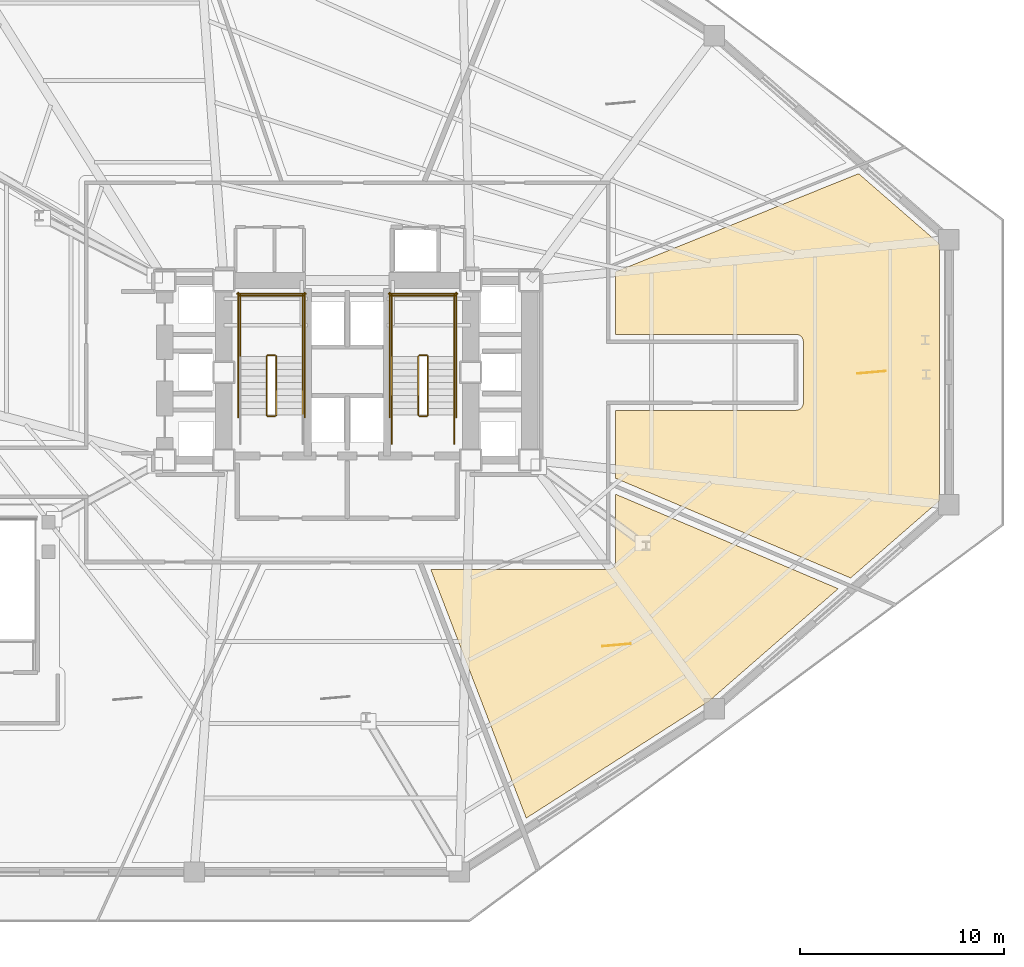
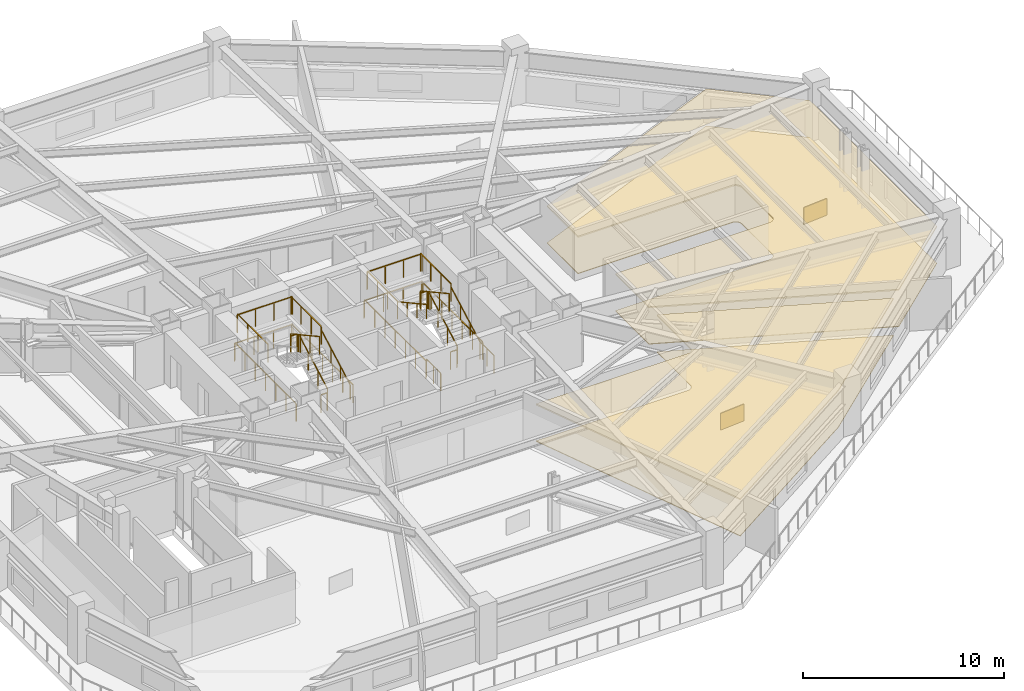
# One storey, part 9 of 10: 25 railings, 6 coverings.
"""IFC4 building model written with IfcOpenShell, lengths in metres."""

import ifcopenshell
import ifcopenshell.guid

model = None  # the IFC model being written
_history = None  # IfcOwnerHistory: only IFC2X3 demands one
_inside = {}  # id of a spatial element -> (the spatial element, [elements in it])
_under = {}  # id of a project, library or spatial element -> (it, [spatial elements below it])
_declared = {}  # id of a project -> (the project, [libraries it declares])
_typed = {}  # id of a type object -> (the type object, [elements of that type])
_made_of = {}  # id of a material, layer set ... -> (it, [elements and type objects made of it])


def new_model(schema):
    """Start an empty IFC model of exactly this schema.

    Asked for "IFC4X3", IfcOpenShell would pick the latest addendum, in which some entities
    have other attributes; the version numbers below select the first issue.
    IFC2X3 requires an IfcOwnerHistory on every rooted entity: one is made here for all.
    """
    global model, _history
    if schema == "IFC4X3":
        model = ifcopenshell.file(schema_version=(4, 3, 0, 0))
    else:
        model = ifcopenshell.file(schema=schema)
    _inside.clear()
    _under.clear()
    _declared.clear()
    _typed.clear()
    _made_of.clear()
    _history = None
    if model.schema == "IFC2X3":
        org = make("IfcOrganization", Name="unknown")
        user = make(
            "IfcPersonAndOrganization",
            ThePerson=make("IfcPerson", FamilyName="unknown"),
            TheOrganization=org,
        )
        app = make(
            "IfcApplication",
            ApplicationDeveloper=org,
            Version="unknown",
            ApplicationFullName="unknown",
            ApplicationIdentifier="unknown",
        )
        _history = make(
            "IfcOwnerHistory",
            OwningUser=user,
            OwningApplication=app,
            ChangeAction="ADDED",
            CreationDate=0,
        )
    return model


def make(cls, **values):
    """One entity of the class cls with the attributes given. An attribute that is None is left unset."""
    return model.create_entity(
        cls, **{name: value for name, value in values.items() if value is not None}
    )


def rooted(cls, **values):
    """An entity with a GlobalId (a new one), such as an element, a storey or a relation."""
    return make(cls, GlobalId=ifcopenshell.guid.new(), OwnerHistory=_history, **values)


def si_unit(unit_type, name, prefix=None):
    """IfcSIUnit, for example si_unit("LENGTHUNIT", "METRE", prefix="MILLI")."""
    return make("IfcSIUnit", UnitType=unit_type, Prefix=prefix, Name=name)


def assignment(units):
    """IfcUnitAssignment: the units of a project."""
    return None if units is None else make("IfcUnitAssignment", Units=units)


def point(xyz):
    """IfcCartesianPoint."""
    return None if xyz is None else make("IfcCartesianPoint", Coordinates=xyz)


def direction(xyz):
    """IfcDirection."""
    return None if xyz is None else make("IfcDirection", DirectionRatios=xyz)


def frame(location, z_axis=None, x_axis=None):
    """IfcAxis2Placement3D, a coordinate frame: its origin and axes. An axis left out is left unset."""
    return make(
        "IfcAxis2Placement3D",
        Location=point(location),
        Axis=direction(z_axis),
        RefDirection=direction(x_axis),
    )


def frame_2d(location, x_axis=None):
    """IfcAxis2Placement2D, a coordinate frame in the plane: its origin and x axis."""
    return make(
        "IfcAxis2Placement2D", Location=point(location), RefDirection=direction(x_axis)
    )


def origin():
    """The frame at (0, 0, 0) with its axes left unset."""
    return frame((0.0, 0.0, 0.0))


def origin_2d():
    """The frame at (0, 0) in the plane with its x axis left unset."""
    return frame_2d((0.0, 0.0))


def place(relative_to, where):
    """IfcLocalPlacement: puts the frame where relative to a parent placement (None: the world)."""
    return make(
        "IfcLocalPlacement", PlacementRelTo=relative_to, RelativePlacement=where
    )


def context(
    kind, dimensions, precision=None, world=None, true_north=None, identifier=None
):
    """IfcGeometricRepresentationContext, for example the 3D "Model" context."""
    return make(
        "IfcGeometricRepresentationContext",
        ContextIdentifier=identifier,
        ContextType=kind,
        CoordinateSpaceDimension=dimensions,
        Precision=precision,
        WorldCoordinateSystem=world,
        TrueNorth=true_north,
    )


def subcontext(parent, identifier, kind, view, scale=None):
    """IfcGeometricRepresentationSubContext, for example "Body" below "Model"."""
    return make(
        "IfcGeometricRepresentationSubContext",
        ContextIdentifier=identifier,
        ContextType=kind,
        ParentContext=parent,
        TargetScale=scale,
        TargetView=view,
    )


def project(units=None, contexts=None):
    """IfcProject with its units and contexts."""
    return rooted(
        "IfcProject",
        Name="project",
        RepresentationContexts=contexts,
        UnitsInContext=assignment(units),
    )


def spatial(cls, under=None, at=None, **own):
    """A site, building, storey or space (cls), placed at a placement, below another one or the project."""
    s = rooted(cls, ObjectPlacement=at, **own)
    if under is not None:
        _under.setdefault(under.id(), (under, []))[1].append(s)
    return s


def polyline(points):
    """IfcPolyline through the points."""
    return make("IfcPolyline", Points=[point(p) for p in points])


def profile(cls, at=None, kind="AREA", **sizes):
    """A parametric profile (cls). Its sizes go by their IFC names, for example OverallWidth=200.0."""
    return make(cls, ProfileType=kind, Position=at, **sizes)


def rectangle(**sizes):
    """IfcRectangleProfileDef."""
    return profile("IfcRectangleProfileDef", **sizes)


def outline(outer, holes=None, kind="AREA"):
    """IfcArbitraryClosedProfileDef: a profile drawn as a closed curve; with holes, ...WithVoids."""
    if holes is None:
        return make("IfcArbitraryClosedProfileDef", ProfileType=kind, OuterCurve=outer)
    return make(
        "IfcArbitraryProfileDefWithVoids",
        ProfileType=kind,
        OuterCurve=outer,
        InnerCurves=holes,
    )


def extrude(swept, where, along, depth):
    """IfcExtrudedAreaSolid: the profile swept, set in the frame where, extruded along a direction by depth."""
    return make(
        "IfcExtrudedAreaSolid",
        SweptArea=swept,
        Position=where,
        ExtrudedDirection=direction(along),
        Depth=depth,
    )


def shape(context_of_items, identifier, shape_type, items):
    """IfcShapeRepresentation: the items that make up one representation, for example the "Body"."""
    return make(
        "IfcShapeRepresentation",
        ContextOfItems=context_of_items,
        RepresentationIdentifier=identifier,
        RepresentationType=shape_type,
        Items=items,
    )


def material(Name=None, Category=None):
    """IfcMaterial."""
    return make("IfcMaterial", Name=Name, Category=Category)


def layer(
    of_material, thickness, ventilated=None, Name=None, Category=None, Priority=None
):
    """IfcMaterialLayer: one layer of a wall or slab, of a material (None: an air gap)."""
    return make(
        "IfcMaterialLayer",
        Material=of_material,
        LayerThickness=thickness,
        IsVentilated=ventilated,
        Name=Name,
        Category=Category,
        Priority=Priority,
    )


def layer_set(layers, Name=None):
    """IfcMaterialLayerSet."""
    return make("IfcMaterialLayerSet", MaterialLayers=layers, LayerSetName=Name)


def made_of(thing, what):
    """Note that an element or type object is made of a material, layer set ...; save() writes the relation."""
    if what is not None:
        _made_of.setdefault(what.id(), (what, []))[1].append(thing)
    return thing


def type_object(cls, material=None, **own):
    """A type object (cls), such as IfcWallType, which elements share."""
    return made_of(rooted(cls, **own), material)


def element(
    cls,
    number,
    at=None,
    inside=None,
    cuts=None,
    type_object=None,
    material=None,
    context=None,
    identifier="Body",
    shape_type=None,
    held_by="IfcProductDefinitionShape",
    body=None,
    shapes=None,
    **own,
):
    """One element of the class cls, such as IfcWall. Its Tag is "e" and its number.

    at: its placement. inside: the storey or other place that contains it. cuts: it is an
    opening in that element (IfcRelVoidsElement). A single representation is given by context,
    identifier, shape_type and body (its items); several are given by shapes. held_by: the class
    of the entity that holds the representations. save() writes the other relations.
    """
    e = rooted(cls, Tag="e%d" % number, ObjectPlacement=at, **own)
    if body is not None:
        shapes = [shape(context, identifier, shape_type, body)]
    if shapes is not None:
        e.Representation = make(held_by, Representations=shapes)
    if inside is not None:
        _inside.setdefault(inside.id(), (inside, []))[1].append(e)
    if cuts is not None:
        rooted(
            "IfcRelVoidsElement", RelatingBuildingElement=cuts, RelatedOpeningElement=e
        )
    if type_object is not None:
        _typed.setdefault(type_object.id(), (type_object, []))[1].append(e)
    return made_of(e, material)


def aggregate(whole, parts):
    """IfcRelAggregates: a whole, such as a stair, and the parts it consists of."""
    return rooted("IfcRelAggregates", RelatingObject=whole, RelatedObjects=parts)


def save(model, path):
    """Write the relations noted so far, then the file.

    IfcRelAggregates (storeys below a building ...), IfcRelContainedInSpatialStructure (elements
    in a storey), IfcRelDefinesByType, IfcRelAssociatesMaterial and IfcRelDeclares: one each for
    every whole, place, type object, material and project.
    """
    for whole, parts in _under.values():
        aggregate(whole, parts)
    for where, things in _inside.values():
        rooted(
            "IfcRelContainedInSpatialStructure",
            RelatedElements=things,
            RelatingStructure=where,
        )
    for kind, things in _typed.values():
        rooted("IfcRelDefinesByType", RelatedObjects=things, RelatingType=kind)
    for what, things in _made_of.values():
        rooted("IfcRelAssociatesMaterial", RelatedObjects=things, RelatingMaterial=what)
    for by, libraries in _declared.values():
        rooted("IfcRelDeclares", RelatingContext=by, RelatedDefinitions=libraries)
    model.write(path)


model = new_model("IFC4")

# Units and contexts
model_context = context("Model", 3, precision=1e-05, world=origin(), true_north=direction((0.0, 1.0)))
body_context = subcontext(model_context, "Body", "Model", "MODEL_VIEW")
ifc_project = project(units=[si_unit("LENGTHUNIT", "METRE"), si_unit("AREAUNIT", "SQUARE_METRE"), si_unit("VOLUMEUNIT", "CUBIC_METRE"), si_unit("PLANEANGLEUNIT", "RADIAN"), si_unit("MASSUNIT", "GRAM", prefix="KILO")], contexts=[model_context])

# Site, building, storey
site_placement = place(None, origin())
site = spatial("IfcSite", under=ifc_project, at=site_placement, CompositionType="ELEMENT")
building_placement = place(site_placement, origin())
building = spatial("IfcBuilding", under=site, at=building_placement, Name="Rocaltana Carrier Exchange", CompositionType="ELEMENT")
storey_placement = place(building_placement, frame((0.0, 0.0, 15.360107421875)))
storey = spatial("IfcBuildingStorey", under=building, at=storey_placement, Name="L05", CompositionType="ELEMENT", Elevation=15.360107421875)

# Coverings
ifc_material_1 = material(Name="Honed Bogota Sandstone Tile", Category="masonry")
ifc_layer_1 = layer(ifc_material_1, 0.0400390625)
ifc_layer_set_1 = layer_set([ifc_layer_1], Name="Honed Bogota Sandstone Tile")
covering_type_1 = type_object("IfcCoveringType", Name="Honed Stone Lobby Flooring 40", PredefinedType="FLOORING", material=ifc_layer_set_1)
covering_1_placement = place(storey_placement, origin())
element("IfcCovering", 1, at=covering_1_placement, inside=storey, type_object=covering_type_1, Name="L05 Client Reception Foyer Finish Floor", PredefinedType="FLOORING", context=body_context, shape_type="SweptSolid", body=[
    extrude(outline(polyline([(17.7236328125, -16.130615234375), (8.77587890625, -21.857421875), (4.09375, -9.659912109375), (12.800048828125, -9.659912109375), (12.813720703125, -9.65966796875), (12.821533203125, -9.6591796875), (12.848876953125, -9.656494140625), (12.856689453125, -9.655517578125), (12.883544921875, -9.650146484375), (12.891357421875, -9.648193359375), (12.91748046875, -9.64013671875), (12.9248046875, -9.637451171875), (12.9501953125, -9.626953125), (12.95751953125, -9.623779296875), (12.981689453125, -9.610595703125), (12.98828125, -9.606689453125), (13.01123046875, -9.59130859375), (13.017578125, -9.586669921875), (13.038818359375, -9.5693359375), (13.044677734375, -9.56396484375), (13.06396484375, -9.544677734375), (13.0693359375, -9.538818359375), (13.086669921875, -9.517578125), (13.09130859375, -9.51123046875), (13.106689453125, -9.48828125), (13.110595703125, -9.481689453125), (13.123779296875, -9.45751953125), (13.126953125, -9.4501953125), (13.137451171875, -9.4248046875), (13.14013671875, -9.41748046875), (13.148193359375, -9.391357421875), (13.150146484375, -9.383544921875), (13.155517578125, -9.356689453125), (13.156494140625, -9.348876953125), (13.1591796875, -9.321533203125), (13.15966796875, -9.313720703125), (13.159912109375, -9.300048828125), (13.159912109375, -5.977294921875), (24.072998046875, -10.609619140625), (17.7236328125, -16.130615234375)])), origin(), (0.0, 0.0, 1.0), 0.039794921875),
])
covering_2_placement = place(storey_placement, origin())
element("IfcCovering", 2, at=covering_2_placement, inside=storey, type_object=covering_type_1, Name="L05 Cloud Architecture Office Finish Floor", PredefinedType="FLOORING", context=body_context, shape_type="SweptSolid", body=[
    extrude(outline(polyline([(29.0400390625, 6.290283203125), (29.0400390625, -6.290283203125), (24.677490234375, -10.083984375), (13.159912109375, -5.195068359375), (13.159912109375, -1.860107421875), (22.0, -1.860107421875), (22.013671875, -1.859619140625), (22.021484375, -1.859375), (22.048828125, -1.856689453125), (22.056640625, -1.85546875), (22.08349609375, -1.85009765625), (22.09130859375, -1.84814453125), (22.11767578125, -1.840087890625), (22.125, -1.83740234375), (22.150390625, -1.826904296875), (22.157470703125, -1.82373046875), (22.181640625, -1.810791015625), (22.1884765625, -1.806640625), (22.211181640625, -1.79150390625), (22.217529296875, -1.78662109375), (22.23876953125, -1.769287109375), (22.24462890625, -1.763916015625), (22.263916015625, -1.74462890625), (22.269287109375, -1.73876953125), (22.28662109375, -1.717529296875), (22.29150390625, -1.711181640625), (22.306640625, -1.6884765625), (22.310791015625, -1.681640625), (22.32373046875, -1.657470703125), (22.326904296875, -1.650390625), (22.33740234375, -1.625), (22.340087890625, -1.61767578125), (22.34814453125, -1.59130859375), (22.35009765625, -1.58349609375), (22.35546875, -1.556640625), (22.356689453125, -1.548828125), (22.359375, -1.521484375), (22.359619140625, -1.513671875), (22.360107421875, -1.5), (22.360107421875, 1.5), (22.359619140625, 1.513671875), (22.359375, 1.521484375), (22.356689453125, 1.548828125), (22.35546875, 1.556640625), (22.35009765625, 1.58349609375), (22.34814453125, 1.59130859375), (22.340087890625, 1.61767578125), (22.33740234375, 1.625), (22.326904296875, 1.650390625), (22.32373046875, 1.657470703125), (22.310791015625, 1.681640625), (22.306640625, 1.6884765625), (22.29150390625, 1.711181640625), (22.28662109375, 1.717529296875), (22.269287109375, 1.73876953125), (22.263916015625, 1.74462890625), (22.24462890625, 1.763916015625), (22.23876953125, 1.769287109375), (22.217529296875, 1.78662109375), (22.211181640625, 1.79150390625), (22.1884765625, 1.806640625), (22.181640625, 1.810791015625), (22.157470703125, 1.82373046875), (22.150390625, 1.826904296875), (22.125, 1.83740234375), (22.11767578125, 1.840087890625), (22.09130859375, 1.84814453125), (22.08349609375, 1.85009765625), (22.056640625, 1.85546875), (22.048828125, 1.856689453125), (22.021484375, 1.859375), (22.013671875, 1.859619140625), (22.0, 1.860107421875), (13.159912109375, 1.860107421875), (13.159912109375, 4.9287109375), (25.071533203125, 9.7412109375), (29.0400390625, 6.290283203125)])), origin(), (0.0, 0.0, 1.0), 0.039794921875),
])
ifc_material_2 = material(Name="Anodised Aluminium 6063-T6", Category="aluminium")
ifc_layer_2 = layer(ifc_material_2, 0.0849609375)
ifc_layer_set_2 = layer_set([ifc_layer_2], Name="Anodised Aluminium 6063-T6")
covering_type_2 = type_object("IfcCoveringType", Name="Linear Baffle Acoustic Ceiling 85", PredefinedType="CEILING", material=ifc_layer_set_2)
covering_3_placement = place(storey_placement, frame((0.0, 0.0, 2.202880859375)))
element("IfcCovering", 3, at=covering_3_placement, inside=storey, type_object=covering_type_2, Name="L05 Client Reception Foyer Acoustic Ceiling", PredefinedType="CEILING", context=body_context, shape_type="SweptSolid", body=[
    extrude(outline(polyline([(17.7236328125, -16.130615234375), (8.77587890625, -21.857421875), (4.09375, -9.659912109375), (12.800048828125, -9.659912109375), (12.813720703125, -9.65966796875), (12.821533203125, -9.6591796875), (12.848876953125, -9.656494140625), (12.856689453125, -9.655517578125), (12.883544921875, -9.650146484375), (12.891357421875, -9.648193359375), (12.91748046875, -9.64013671875), (12.9248046875, -9.637451171875), (12.9501953125, -9.626953125), (12.95751953125, -9.623779296875), (12.981689453125, -9.610595703125), (12.98828125, -9.606689453125), (13.01123046875, -9.59130859375), (13.017578125, -9.586669921875), (13.038818359375, -9.5693359375), (13.044677734375, -9.56396484375), (13.06396484375, -9.544677734375), (13.0693359375, -9.538818359375), (13.086669921875, -9.517578125), (13.09130859375, -9.51123046875), (13.106689453125, -9.48828125), (13.110595703125, -9.481689453125), (13.123779296875, -9.45751953125), (13.126953125, -9.4501953125), (13.137451171875, -9.4248046875), (13.14013671875, -9.41748046875), (13.148193359375, -9.391357421875), (13.150146484375, -9.383544921875), (13.155517578125, -9.356689453125), (13.156494140625, -9.348876953125), (13.1591796875, -9.321533203125), (13.15966796875, -9.313720703125), (13.159912109375, -9.300048828125), (13.159912109375, -5.977294921875), (24.072998046875, -10.609619140625), (17.7236328125, -16.130615234375)])), origin(), (0.0, 0.0, 1.0), 0.0849609375),
])
covering_4_placement = place(storey_placement, frame((0.0, 0.0, 2.202880859375)))
element("IfcCovering", 4, at=covering_4_placement, inside=storey, type_object=covering_type_2, Name="L05 Cloud Architecture Office Acoustic Ceiling", PredefinedType="CEILING", context=body_context, shape_type="SweptSolid", body=[
    extrude(outline(polyline([(29.0400390625, 6.290283203125), (29.0400390625, -6.290283203125), (24.677490234375, -10.083984375), (13.159912109375, -5.195068359375), (13.159912109375, -1.860107421875), (22.0, -1.860107421875), (22.013671875, -1.859619140625), (22.021484375, -1.859375), (22.048828125, -1.856689453125), (22.056640625, -1.85546875), (22.08349609375, -1.85009765625), (22.09130859375, -1.84814453125), (22.11767578125, -1.840087890625), (22.125, -1.83740234375), (22.150390625, -1.826904296875), (22.157470703125, -1.82373046875), (22.181640625, -1.810791015625), (22.1884765625, -1.806640625), (22.211181640625, -1.79150390625), (22.217529296875, -1.78662109375), (22.23876953125, -1.769287109375), (22.24462890625, -1.763916015625), (22.263916015625, -1.74462890625), (22.269287109375, -1.73876953125), (22.28662109375, -1.717529296875), (22.29150390625, -1.711181640625), (22.306640625, -1.6884765625), (22.310791015625, -1.681640625), (22.32373046875, -1.657470703125), (22.326904296875, -1.650390625), (22.33740234375, -1.625), (22.340087890625, -1.61767578125), (22.34814453125, -1.59130859375), (22.35009765625, -1.58349609375), (22.35546875, -1.556640625), (22.356689453125, -1.548828125), (22.359375, -1.521484375), (22.359619140625, -1.513671875), (22.360107421875, -1.5), (22.360107421875, 1.5), (22.359619140625, 1.513671875), (22.359375, 1.521484375), (22.356689453125, 1.548828125), (22.35546875, 1.556640625), (22.35009765625, 1.58349609375), (22.34814453125, 1.59130859375), (22.340087890625, 1.61767578125), (22.33740234375, 1.625), (22.326904296875, 1.650390625), (22.32373046875, 1.657470703125), (22.310791015625, 1.681640625), (22.306640625, 1.6884765625), (22.29150390625, 1.711181640625), (22.28662109375, 1.717529296875), (22.269287109375, 1.73876953125), (22.263916015625, 1.74462890625), (22.24462890625, 1.763916015625), (22.23876953125, 1.769287109375), (22.217529296875, 1.78662109375), (22.211181640625, 1.79150390625), (22.1884765625, 1.806640625), (22.181640625, 1.810791015625), (22.157470703125, 1.82373046875), (22.150390625, 1.826904296875), (22.125, 1.83740234375), (22.11767578125, 1.840087890625), (22.09130859375, 1.84814453125), (22.08349609375, 1.85009765625), (22.056640625, 1.85546875), (22.048828125, 1.856689453125), (22.021484375, 1.859375), (22.013671875, 1.859619140625), (22.0, 1.860107421875), (13.159912109375, 1.860107421875), (13.159912109375, 4.9287109375), (25.071533203125, 9.7412109375), (29.0400390625, 6.290283203125)])), origin(), (0.0, 0.0, 1.0), 0.0849609375),
])

# Railings
ifc_material_3 = material(Name="Brushed Architectural Stainless Tube", Category="steel")
ifc_layer_3 = layer(ifc_material_3, 0.048095703125)
ifc_layer_set_3 = layer_set([ifc_layer_3], Name="Brushed Architectural Stainless Tube")
railing_type_1 = type_object("IfcRailingType", Name="Stair Wall Handrail 920", PredefinedType="HANDRAIL", material=ifc_layer_set_3)
for number, where, name in (
    (5, (-2.18994140625, -2.10009765625, 0.17578125), "L05 ST-1 stair handrail 1"),
    (6, (5.25, -2.10009765625, 0.17578125), "L05 ST-2 stair handrail 1"),
):
    element("IfcRailing", number, at=place(storey_placement, frame(where)), inside=storey, type_object=railing_type_1, Name=name, PredefinedType="HANDRAIL", context=body_context, shape_type="SweptSolid", body=[
        extrude(rectangle(XDim=0.048095703125, YDim=0.048095703125, at=origin_2d()), frame((0.0, 0.0, 0.8759765625), z_axis=(0.0, 0.876195522092, 0.481955814432), x_axis=(-1.0, 0.0, 0.0)), (0.0, 0.0, 1.0), 3.287109375),
        extrude(rectangle(XDim=0.0419921875, YDim=0.0419921875, at=origin_2d()), origin(), (0.0, 0.0, 1.0), 0.851806640625),
        extrude(rectangle(XDim=0.0419921875, YDim=0.0419921875, at=origin_2d()), frame((0.0, 0.9599609375, 0.528076171875)), (0.0, 0.0, 1.0), 0.851806640625),
        extrude(rectangle(XDim=0.0419921875, YDim=0.0419921875, at=origin_2d()), frame((0.0, 1.920166015625, 1.05615234375)), (0.0, 0.0, 1.0), 0.851806640625),
        extrude(rectangle(XDim=0.0419921875, YDim=0.0419921875, at=origin_2d()), frame((0.0, 2.880126953125, 1.584228515625)), (0.0, 0.0, 1.0), 0.851806640625),
    ])
railing_1_placement = place(storey_placement, frame((2.18994140625, 0.780029296875, 1.935791015625)))
element("IfcRailing", 7, at=railing_1_placement, inside=storey, type_object=railing_type_1, Name="L05 ST-2 stair handrail 2", PredefinedType="HANDRAIL", context=body_context, shape_type="SweptSolid", body=[
    extrude(rectangle(XDim=0.048095703125, YDim=0.048095703125, at=origin_2d()), frame((0.0, 0.0, 0.8759765625), z_axis=(0.0, -0.876226885812, 0.481898790807), x_axis=(1.0, 0.0, 0.0)), (0.0, 0.0, 1.0), 3.286865234375),
    extrude(rectangle(XDim=0.0419921875, YDim=0.0419921875, at=origin_2d()), origin(), (0.0, 0.0, 1.0), 0.851806640625),
    extrude(rectangle(XDim=0.0419921875, YDim=0.0419921875, at=origin_2d()), frame((0.0, -0.9599609375, 0.528076171875)), (0.0, 0.0, 1.0), 0.851806640625),
    extrude(rectangle(XDim=0.0419921875, YDim=0.0419921875, at=origin_2d()), frame((0.0, -1.920166015625, 1.055908203125)), (0.0, 0.0, 1.0), 0.851806640625),
    extrude(rectangle(XDim=0.0419921875, YDim=0.0419921875, at=origin_2d()), frame((0.0, -2.880126953125, 1.583984375)), (0.0, 0.0, 1.0), 0.851806640625),
])
ifc_material_4 = material(Name="Powder-Coated Aluminium 6063-T6", Category="aluminium")
ifc_layer_4 = layer(ifc_material_4, 0.048095703125)
ifc_layer_set_4 = layer_set([ifc_layer_4], Name="Powder-Coated Aluminium 6063-T6")
railing_type_2 = type_object("IfcRailingType", Name="Stair Well Guardrail 1100", PredefinedType="GUARDRAIL", material=ifc_layer_set_4)
railing_2_placement = place(storey_placement, frame((-3.489990234375, -2.10009765625, 0.17578125)))
element("IfcRailing", 8, at=railing_2_placement, inside=storey, type_object=railing_type_2, Name="L05 ST-1 stair guard 1", PredefinedType="GUARDRAIL", context=body_context, shape_type="SweptSolid", body=[
    extrude(rectangle(XDim=0.048095703125, YDim=0.048095703125, at=origin_2d()), frame((0.0, 0.0, 1.076171875), z_axis=(0.0, 0.876195522092, 0.481955814432), x_axis=(-1.0, 0.0, 0.0)), (0.0, 0.0, 1.0), 3.287109375),
    extrude(rectangle(XDim=0.0419921875, YDim=0.0419921875, at=origin_2d()), origin(), (0.0, 0.0, 1.0), 1.052001953125),
    extrude(rectangle(XDim=0.0419921875, YDim=0.0419921875, at=origin_2d()), frame((0.0, 0.9599609375, 0.528076171875)), (0.0, 0.0, 1.0), 1.052001953125),
    extrude(rectangle(XDim=0.0419921875, YDim=0.0419921875, at=origin_2d()), frame((0.0, 1.920166015625, 1.05615234375)), (0.0, 0.0, 1.0), 1.052001953125),
    extrude(rectangle(XDim=0.0419921875, YDim=0.0419921875, at=origin_2d()), frame((0.0, 2.880126953125, 1.584228515625)), (0.0, 0.0, 1.0), 1.052001953125),
])
railing_3_placement = place(storey_placement, frame((-3.5400390625, 0.830078125, 1.760009765625)))
element("IfcRailing", 9, at=railing_3_placement, inside=storey, type_object=railing_type_2, Name="L05 ST-1 stair guard 2", PredefinedType="GUARDRAIL", context=body_context, shape_type="SweptSolid", body=[
    extrude(rectangle(XDim=0.048095703125, YDim=0.048095703125, at=origin_2d()), frame((0.0, 0.0, 1.076171875), z_axis=(-1.0, 0.0, 0.0), x_axis=(0.0, -1.0, 0.0)), (0.0, 0.0, 1.0), 0.35986328125),
    extrude(rectangle(XDim=0.0419921875, YDim=0.0419921875, at=origin_2d()), origin(), (0.0, 0.0, 1.0), 1.052001953125),
    extrude(rectangle(XDim=0.0419921875, YDim=0.0419921875, at=origin_2d()), frame((-0.35986328125, 0.0, 0.0)), (0.0, 0.0, 1.0), 1.052001953125),
])
for number, where, name in (
    (10, (-2.18994140625, 0.780029296875, 1.760009765625), "L05 ST-1 stair guard 3"),
    (11, (-5.25, 0.780029296875, 1.760009765625), "L05 ST-1 stair guard 4"),
):
    element("IfcRailing", number, at=place(storey_placement, frame(where)), inside=storey, type_object=railing_type_2, Name=name, PredefinedType="GUARDRAIL", context=body_context, shape_type="SweptSolid", body=[
        extrude(rectangle(XDim=0.048095703125, YDim=0.048095703125, at=origin_2d()), frame((0.0, 0.0, 1.076171875), z_axis=(0.0, 1.0, 0.0), x_axis=(-1.0, 0.0, 0.0)), (0.0, 0.0, 1.0), 3.02001953125),
        extrude(rectangle(XDim=0.0419921875, YDim=0.0419921875, at=origin_2d()), origin(), (0.0, 0.0, 1.0), 1.052001953125),
        extrude(rectangle(XDim=0.0419921875, YDim=0.0419921875, at=origin_2d()), frame((0.0, 1.006591796875, 0.0)), (0.0, 0.0, 1.0), 1.052001953125),
        extrude(rectangle(XDim=0.0419921875, YDim=0.0419921875, at=origin_2d()), frame((0.0, 2.013427734375, 0.0)), (0.0, 0.0, 1.0), 1.052001953125),
        extrude(rectangle(XDim=0.0419921875, YDim=0.0419921875, at=origin_2d()), frame((0.0, 3.02001953125, 0.0)), (0.0, 0.0, 1.0), 1.052001953125),
    ])
railing_4_placement = place(storey_placement, frame((-2.139892578125, 3.75, 1.760009765625)))
element("IfcRailing", 12, at=railing_4_placement, inside=storey, type_object=railing_type_2, Name="L05 ST-1 stair guard 5", PredefinedType="GUARDRAIL", context=body_context, shape_type="SweptSolid", body=[
    extrude(rectangle(XDim=0.048095703125, YDim=0.048095703125, at=origin_2d()), frame((0.0, 0.0, 1.076171875), z_axis=(-1.0, 0.0, 0.0), x_axis=(0.0, -1.0, 0.0)), (0.0, 0.0, 1.0), 3.16015625),
    extrude(rectangle(XDim=0.0419921875, YDim=0.0419921875, at=origin_2d()), origin(), (0.0, 0.0, 1.0), 1.052001953125),
    extrude(rectangle(XDim=0.0419921875, YDim=0.0419921875, at=origin_2d()), frame((-1.053466796875, 0.0, 0.0)), (0.0, 0.0, 1.0), 1.052001953125),
    extrude(rectangle(XDim=0.0419921875, YDim=0.0419921875, at=origin_2d()), frame((-2.106689453125, 0.0, 0.0)), (0.0, 0.0, 1.0), 1.052001953125),
    extrude(rectangle(XDim=0.0419921875, YDim=0.0419921875, at=origin_2d()), frame((-3.16015625, 0.0, 0.0)), (0.0, 0.0, 1.0), 1.052001953125),
])
railing_5_placement = place(storey_placement, frame((-3.949951171875, 0.780029296875, 1.935791015625)))
element("IfcRailing", 13, at=railing_5_placement, inside=storey, type_object=railing_type_2, Name="L05 ST-1 stair guard 6", PredefinedType="GUARDRAIL", context=body_context, shape_type="SweptSolid", body=[
    extrude(rectangle(XDim=0.048095703125, YDim=0.048095703125, at=origin_2d()), frame((0.0, 0.0, 1.076171875), z_axis=(0.0, -0.876226885812, 0.481898790807), x_axis=(1.0, 0.0, 0.0)), (0.0, 0.0, 1.0), 3.286865234375),
    extrude(rectangle(XDim=0.0419921875, YDim=0.0419921875, at=origin_2d()), origin(), (0.0, 0.0, 1.0), 1.052001953125),
    extrude(rectangle(XDim=0.0419921875, YDim=0.0419921875, at=origin_2d()), frame((0.0, -0.9599609375, 0.528076171875)), (0.0, 0.0, 1.0), 1.052001953125),
    extrude(rectangle(XDim=0.0419921875, YDim=0.0419921875, at=origin_2d()), frame((0.0, -1.920166015625, 1.055908203125)), (0.0, 0.0, 1.0), 1.052001953125),
    extrude(rectangle(XDim=0.0419921875, YDim=0.0419921875, at=origin_2d()), frame((0.0, -2.880126953125, 1.583984375)), (0.0, 0.0, 1.0), 1.052001953125),
])
railing_6_placement = place(storey_placement, frame((-3.5400390625, -2.14990234375, 0.0)))
element("IfcRailing", 14, at=railing_6_placement, inside=storey, type_object=railing_type_2, Name="L05 ST-1 stair guard 7", PredefinedType="GUARDRAIL", context=body_context, shape_type="SweptSolid", body=[
    extrude(rectangle(XDim=0.048095703125, YDim=0.048095703125, at=origin_2d()), frame((0.0, 0.0, 1.076171875), z_axis=(-1.0, 0.0, 0.0), x_axis=(0.0, -1.0, 0.0)), (0.0, 0.0, 1.0), 0.35986328125),
    extrude(rectangle(XDim=0.0419921875, YDim=0.0419921875, at=origin_2d()), origin(), (0.0, 0.0, 1.0), 1.052001953125),
    extrude(rectangle(XDim=0.0419921875, YDim=0.0419921875, at=origin_2d()), frame((-0.35986328125, 0.0, 0.0)), (0.0, 0.0, 1.0), 1.052001953125),
])
for number, where, name in (
    (15, (-2.090087890625, -2.199951171875, 0.0), "L05 ST-1 stair guard 10"),
    (16, (-5.35009765625, -2.199951171875, 0.0), "L05 ST-1 stair guard 11"),
):
    element("IfcRailing", number, at=place(storey_placement, frame(where)), inside=storey, type_object=railing_type_2, Name=name, PredefinedType="GUARDRAIL", context=body_context, shape_type="SweptSolid", body=[
        extrude(rectangle(XDim=0.048095703125, YDim=0.048095703125, at=origin_2d()), frame((0.0, 0.0, 1.076171875), z_axis=(0.0, 1.0, 0.0), x_axis=(-1.0, 0.0, 0.0)), (0.0, 0.0, 1.0), 6.099853515625),
        extrude(rectangle(XDim=0.0419921875, YDim=0.0419921875, at=origin_2d()), origin(), (0.0, 0.0, 1.0), 1.052001953125),
        extrude(rectangle(XDim=0.0419921875, YDim=0.0419921875, at=origin_2d()), frame((0.0, 1.0166015625, 0.0)), (0.0, 0.0, 1.0), 1.052001953125),
        extrude(rectangle(XDim=0.0419921875, YDim=0.0419921875, at=origin_2d()), frame((0.0, 2.033203125, 0.0)), (0.0, 0.0, 1.0), 1.052001953125),
        extrude(rectangle(XDim=0.0419921875, YDim=0.0419921875, at=origin_2d()), frame((0.0, 3.0498046875, 0.0)), (0.0, 0.0, 1.0), 1.052001953125),
        extrude(rectangle(XDim=0.0419921875, YDim=0.0419921875, at=origin_2d()), frame((0.0, 4.066650390625, 0.0)), (0.0, 0.0, 1.0), 1.052001953125),
        extrude(rectangle(XDim=0.0419921875, YDim=0.0419921875, at=origin_2d()), frame((0.0, 5.083251953125, 0.0)), (0.0, 0.0, 1.0), 1.052001953125),
        extrude(rectangle(XDim=0.0419921875, YDim=0.0419921875, at=origin_2d()), frame((0.0, 6.099853515625, 0.0)), (0.0, 0.0, 1.0), 1.052001953125),
    ])
railing_7_placement = place(storey_placement, frame((-2.0400390625, 3.85009765625, 0.0)))
element("IfcRailing", 17, at=railing_7_placement, inside=storey, type_object=railing_type_2, Name="L05 ST-1 stair guard 12", PredefinedType="GUARDRAIL", context=body_context, shape_type="SweptSolid", body=[
    extrude(rectangle(XDim=0.048095703125, YDim=0.048095703125, at=origin_2d()), frame((0.0, 0.0, 1.076171875), z_axis=(-1.0, 0.0, 0.0), x_axis=(0.0, -1.0, 0.0)), (0.0, 0.0, 1.0), 3.35986328125),
    extrude(rectangle(XDim=0.0419921875, YDim=0.0419921875, at=origin_2d()), origin(), (0.0, 0.0, 1.0), 1.052001953125),
    extrude(rectangle(XDim=0.0419921875, YDim=0.0419921875, at=origin_2d()), frame((-1.119873046875, 0.0, 0.0)), (0.0, 0.0, 1.0), 1.052001953125),
    extrude(rectangle(XDim=0.0419921875, YDim=0.0419921875, at=origin_2d()), frame((-2.239990234375, 0.0, 0.0)), (0.0, 0.0, 1.0), 1.052001953125),
    extrude(rectangle(XDim=0.0419921875, YDim=0.0419921875, at=origin_2d()), frame((-3.35986328125, 0.0, 0.0)), (0.0, 0.0, 1.0), 1.052001953125),
])
railing_8_placement = place(storey_placement, frame((3.949951171875, -2.10009765625, 0.17578125)))
element("IfcRailing", 18, at=railing_8_placement, inside=storey, type_object=railing_type_2, Name="L05 ST-2 stair guard 1", PredefinedType="GUARDRAIL", context=body_context, shape_type="SweptSolid", body=[
    extrude(rectangle(XDim=0.048095703125, YDim=0.048095703125, at=origin_2d()), frame((0.0, 0.0, 1.076171875), z_axis=(0.0, 0.876195522092, 0.481955814432), x_axis=(-1.0, 0.0, 0.0)), (0.0, 0.0, 1.0), 3.287109375),
    extrude(rectangle(XDim=0.0419921875, YDim=0.0419921875, at=origin_2d()), origin(), (0.0, 0.0, 1.0), 1.052001953125),
    extrude(rectangle(XDim=0.0419921875, YDim=0.0419921875, at=origin_2d()), frame((0.0, 0.9599609375, 0.528076171875)), (0.0, 0.0, 1.0), 1.052001953125),
    extrude(rectangle(XDim=0.0419921875, YDim=0.0419921875, at=origin_2d()), frame((0.0, 1.920166015625, 1.05615234375)), (0.0, 0.0, 1.0), 1.052001953125),
    extrude(rectangle(XDim=0.0419921875, YDim=0.0419921875, at=origin_2d()), frame((0.0, 2.880126953125, 1.584228515625)), (0.0, 0.0, 1.0), 1.052001953125),
])
railing_9_placement = place(storey_placement, frame((3.89990234375, 0.830078125, 1.760009765625)))
element("IfcRailing", 19, at=railing_9_placement, inside=storey, type_object=railing_type_2, Name="L05 ST-2 stair guard 2", PredefinedType="GUARDRAIL", context=body_context, shape_type="SweptSolid", body=[
    extrude(rectangle(XDim=0.048095703125, YDim=0.048095703125, at=origin_2d()), frame((0.0, 0.0, 1.076171875), z_axis=(-1.0, 0.0, 0.0), x_axis=(0.0, -1.0, 0.0)), (0.0, 0.0, 1.0), 0.35986328125),
    extrude(rectangle(XDim=0.0419921875, YDim=0.0419921875, at=origin_2d()), origin(), (0.0, 0.0, 1.0), 1.052001953125),
    extrude(rectangle(XDim=0.0419921875, YDim=0.0419921875, at=origin_2d()), frame((-0.35986328125, 0.0, 0.0)), (0.0, 0.0, 1.0), 1.052001953125),
])
for number, where, name in (
    (20, (5.25, 0.780029296875, 1.760009765625), "L05 ST-2 stair guard 3"),
    (21, (2.18994140625, 0.780029296875, 1.760009765625), "L05 ST-2 stair guard 4"),
):
    element("IfcRailing", number, at=place(storey_placement, frame(where)), inside=storey, type_object=railing_type_2, Name=name, PredefinedType="GUARDRAIL", context=body_context, shape_type="SweptSolid", body=[
        extrude(rectangle(XDim=0.048095703125, YDim=0.048095703125, at=origin_2d()), frame((0.0, 0.0, 1.076171875), z_axis=(0.0, 1.0, 0.0), x_axis=(-1.0, 0.0, 0.0)), (0.0, 0.0, 1.0), 3.02001953125),
        extrude(rectangle(XDim=0.0419921875, YDim=0.0419921875, at=origin_2d()), origin(), (0.0, 0.0, 1.0), 1.052001953125),
        extrude(rectangle(XDim=0.0419921875, YDim=0.0419921875, at=origin_2d()), frame((0.0, 1.006591796875, 0.0)), (0.0, 0.0, 1.0), 1.052001953125),
        extrude(rectangle(XDim=0.0419921875, YDim=0.0419921875, at=origin_2d()), frame((0.0, 2.013427734375, 0.0)), (0.0, 0.0, 1.0), 1.052001953125),
        extrude(rectangle(XDim=0.0419921875, YDim=0.0419921875, at=origin_2d()), frame((0.0, 3.02001953125, 0.0)), (0.0, 0.0, 1.0), 1.052001953125),
    ])
railing_10_placement = place(storey_placement, frame((5.300048828125, 3.75, 1.760009765625)))
element("IfcRailing", 22, at=railing_10_placement, inside=storey, type_object=railing_type_2, Name="L05 ST-2 stair guard 5", PredefinedType="GUARDRAIL", context=body_context, shape_type="SweptSolid", body=[
    extrude(rectangle(XDim=0.048095703125, YDim=0.048095703125, at=origin_2d()), frame((0.0, 0.0, 1.076171875), z_axis=(-1.0, 0.0, 0.0), x_axis=(0.0, -1.0, 0.0)), (0.0, 0.0, 1.0), 3.16015625),
    extrude(rectangle(XDim=0.0419921875, YDim=0.0419921875, at=origin_2d()), origin(), (0.0, 0.0, 1.0), 1.052001953125),
    extrude(rectangle(XDim=0.0419921875, YDim=0.0419921875, at=origin_2d()), frame((-1.053466796875, 0.0, 0.0)), (0.0, 0.0, 1.0), 1.052001953125),
    extrude(rectangle(XDim=0.0419921875, YDim=0.0419921875, at=origin_2d()), frame((-2.106689453125, 0.0, 0.0)), (0.0, 0.0, 1.0), 1.052001953125),
    extrude(rectangle(XDim=0.0419921875, YDim=0.0419921875, at=origin_2d()), frame((-3.16015625, 0.0, 0.0)), (0.0, 0.0, 1.0), 1.052001953125),
])
railing_11_placement = place(storey_placement, frame((3.489990234375, 0.780029296875, 1.935791015625)))
element("IfcRailing", 23, at=railing_11_placement, inside=storey, type_object=railing_type_2, Name="L05 ST-2 stair guard 6", PredefinedType="GUARDRAIL", context=body_context, shape_type="SweptSolid", body=[
    extrude(rectangle(XDim=0.048095703125, YDim=0.048095703125, at=origin_2d()), frame((0.0, 0.0, 1.076171875), z_axis=(0.0, -0.876226885812, 0.481898790807), x_axis=(1.0, 0.0, 0.0)), (0.0, 0.0, 1.0), 3.286865234375),
    extrude(rectangle(XDim=0.0419921875, YDim=0.0419921875, at=origin_2d()), origin(), (0.0, 0.0, 1.0), 1.052001953125),
    extrude(rectangle(XDim=0.0419921875, YDim=0.0419921875, at=origin_2d()), frame((0.0, -0.9599609375, 0.528076171875)), (0.0, 0.0, 1.0), 1.052001953125),
    extrude(rectangle(XDim=0.0419921875, YDim=0.0419921875, at=origin_2d()), frame((0.0, -1.920166015625, 1.055908203125)), (0.0, 0.0, 1.0), 1.052001953125),
    extrude(rectangle(XDim=0.0419921875, YDim=0.0419921875, at=origin_2d()), frame((0.0, -2.880126953125, 1.583984375)), (0.0, 0.0, 1.0), 1.052001953125),
])
railing_12_placement = place(storey_placement, frame((3.89990234375, -2.14990234375, 0.0)))
element("IfcRailing", 24, at=railing_12_placement, inside=storey, type_object=railing_type_2, Name="L05 ST-2 stair guard 7", PredefinedType="GUARDRAIL", context=body_context, shape_type="SweptSolid", body=[
    extrude(rectangle(XDim=0.048095703125, YDim=0.048095703125, at=origin_2d()), frame((0.0, 0.0, 1.076171875), z_axis=(-1.0, 0.0, 0.0), x_axis=(0.0, -1.0, 0.0)), (0.0, 0.0, 1.0), 0.35986328125),
    extrude(rectangle(XDim=0.0419921875, YDim=0.0419921875, at=origin_2d()), origin(), (0.0, 0.0, 1.0), 1.052001953125),
    extrude(rectangle(XDim=0.0419921875, YDim=0.0419921875, at=origin_2d()), frame((-0.35986328125, 0.0, 0.0)), (0.0, 0.0, 1.0), 1.052001953125),
])
for number, where, name in (
    (25, (5.25, -3.5, 0.0), "L05 ST-2 stair guard 8"),
    (26, (2.18994140625, -3.5, 0.0), "L05 ST-2 stair guard 9"),
):
    element("IfcRailing", number, at=place(storey_placement, frame(where)), inside=storey, type_object=railing_type_2, Name=name, PredefinedType="GUARDRAIL", context=body_context, shape_type="SweptSolid", body=[
        extrude(rectangle(XDim=0.048095703125, YDim=0.048095703125, at=origin_2d()), frame((0.0, 0.0, 1.076171875), z_axis=(0.0, 1.0, 0.0), x_axis=(-1.0, 0.0, 0.0)), (0.0, 0.0, 1.0), 1.39990234375),
        extrude(rectangle(XDim=0.0419921875, YDim=0.0419921875, at=origin_2d()), origin(), (0.0, 0.0, 1.0), 1.052001953125),
        extrude(rectangle(XDim=0.0419921875, YDim=0.0419921875, at=origin_2d()), frame((0.0, 0.699951171875, 0.0)), (0.0, 0.0, 1.0), 1.052001953125),
        extrude(rectangle(XDim=0.0419921875, YDim=0.0419921875, at=origin_2d()), frame((0.0, 1.39990234375, 0.0)), (0.0, 0.0, 1.0), 1.052001953125),
    ])
for number, where, name in (
    (27, (5.35009765625, -2.199951171875, 0.0), "L05 ST-2 stair guard 10"),
    (28, (2.090087890625, -2.199951171875, 0.0), "L05 ST-2 stair guard 11"),
):
    element("IfcRailing", number, at=place(storey_placement, frame(where)), inside=storey, type_object=railing_type_2, Name=name, PredefinedType="GUARDRAIL", context=body_context, shape_type="SweptSolid", body=[
        extrude(rectangle(XDim=0.048095703125, YDim=0.048095703125, at=origin_2d()), frame((0.0, 0.0, 1.076171875), z_axis=(0.0, 1.0, 0.0), x_axis=(-1.0, 0.0, 0.0)), (0.0, 0.0, 1.0), 6.099853515625),
        extrude(rectangle(XDim=0.0419921875, YDim=0.0419921875, at=origin_2d()), origin(), (0.0, 0.0, 1.0), 1.052001953125),
        extrude(rectangle(XDim=0.0419921875, YDim=0.0419921875, at=origin_2d()), frame((0.0, 1.0166015625, 0.0)), (0.0, 0.0, 1.0), 1.052001953125),
        extrude(rectangle(XDim=0.0419921875, YDim=0.0419921875, at=origin_2d()), frame((0.0, 2.033203125, 0.0)), (0.0, 0.0, 1.0), 1.052001953125),
        extrude(rectangle(XDim=0.0419921875, YDim=0.0419921875, at=origin_2d()), frame((0.0, 3.0498046875, 0.0)), (0.0, 0.0, 1.0), 1.052001953125),
        extrude(rectangle(XDim=0.0419921875, YDim=0.0419921875, at=origin_2d()), frame((0.0, 4.066650390625, 0.0)), (0.0, 0.0, 1.0), 1.052001953125),
        extrude(rectangle(XDim=0.0419921875, YDim=0.0419921875, at=origin_2d()), frame((0.0, 5.083251953125, 0.0)), (0.0, 0.0, 1.0), 1.052001953125),
        extrude(rectangle(XDim=0.0419921875, YDim=0.0419921875, at=origin_2d()), frame((0.0, 6.099853515625, 0.0)), (0.0, 0.0, 1.0), 1.052001953125),
    ])
railing_13_placement = place(storey_placement, frame((5.39990234375, 3.85009765625, 0.0)))
element("IfcRailing", 29, at=railing_13_placement, inside=storey, type_object=railing_type_2, Name="L05 ST-2 stair guard 12", PredefinedType="GUARDRAIL", context=body_context, shape_type="SweptSolid", body=[
    extrude(rectangle(XDim=0.048095703125, YDim=0.048095703125, at=origin_2d()), frame((0.0, 0.0, 1.076171875), z_axis=(-1.0, 0.0, 0.0), x_axis=(0.0, -1.0, 0.0)), (0.0, 0.0, 1.0), 3.35986328125),
    extrude(rectangle(XDim=0.0419921875, YDim=0.0419921875, at=origin_2d()), origin(), (0.0, 0.0, 1.0), 1.052001953125),
    extrude(rectangle(XDim=0.0419921875, YDim=0.0419921875, at=origin_2d()), frame((-1.119873046875, 0.0, 0.0)), (0.0, 0.0, 1.0), 1.052001953125),
    extrude(rectangle(XDim=0.0419921875, YDim=0.0419921875, at=origin_2d()), frame((-2.239990234375, 0.0, 0.0)), (0.0, 0.0, 1.0), 1.052001953125),
    extrude(rectangle(XDim=0.0419921875, YDim=0.0419921875, at=origin_2d()), frame((-3.35986328125, 0.0, 0.0)), (0.0, 0.0, 1.0), 1.052001953125),
])

# Coverings
ifc_material_5 = material(Name="Honed Piedra Muneca Sandstone", Category="masonry")
ifc_layer_5 = layer(ifc_material_5, 0.034912109375)
ifc_layer_set_5 = layer_set([ifc_layer_5], Name="Honed Piedra Muneca Sandstone")
covering_type_3 = type_object("IfcCoveringType", Name="Stone Facade Cladding 35", PredefinedType="CLADDING", material=ifc_layer_set_5)
for number, where, z_axis, x_axis, name in (
    (30, (13.2080078125, -13.3701171875, 0.0), (0.0, 0.0, 1.0), (0.996194698092, 0.087155742748, 0.0), "L05 Stone Facade Cladding Panel 3"),
    (31, (25.699951171875, 0.0, 0.0), (0.0, 0.0, 1.0), (0.996194698092, 0.087155742748, 0.0), "L05 Stone Facade Cladding Panel 4"),
):
    element("IfcCovering", number, at=place(storey_placement, frame(where, z_axis=z_axis, x_axis=x_axis)), inside=storey, type_object=covering_type_3, Name=name, PredefinedType="CLADDING", context=body_context, shape_type="SweptSolid", body=[
        extrude(rectangle(XDim=1.39990234375, YDim=0.034912109375, at=origin_2d()), origin(), (0.0, 0.0, 1.0), 1.050048828125),
    ])

save(model, "model.ifc")
